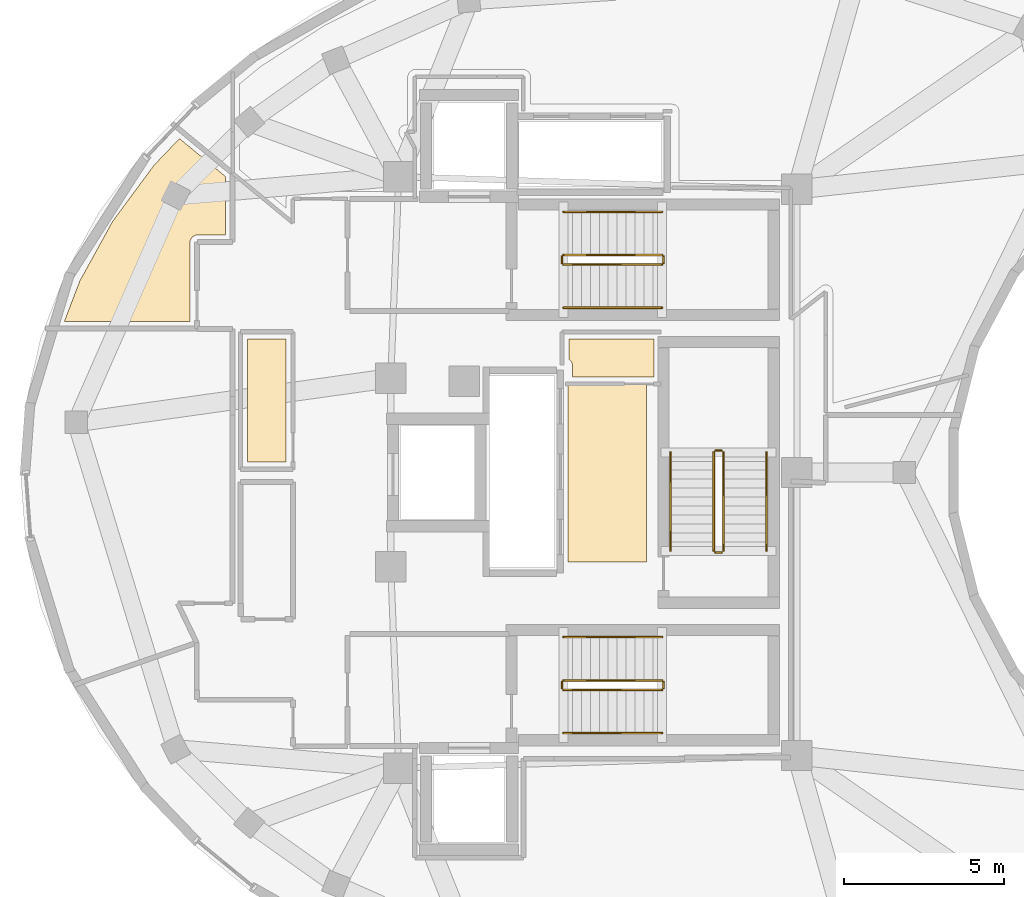
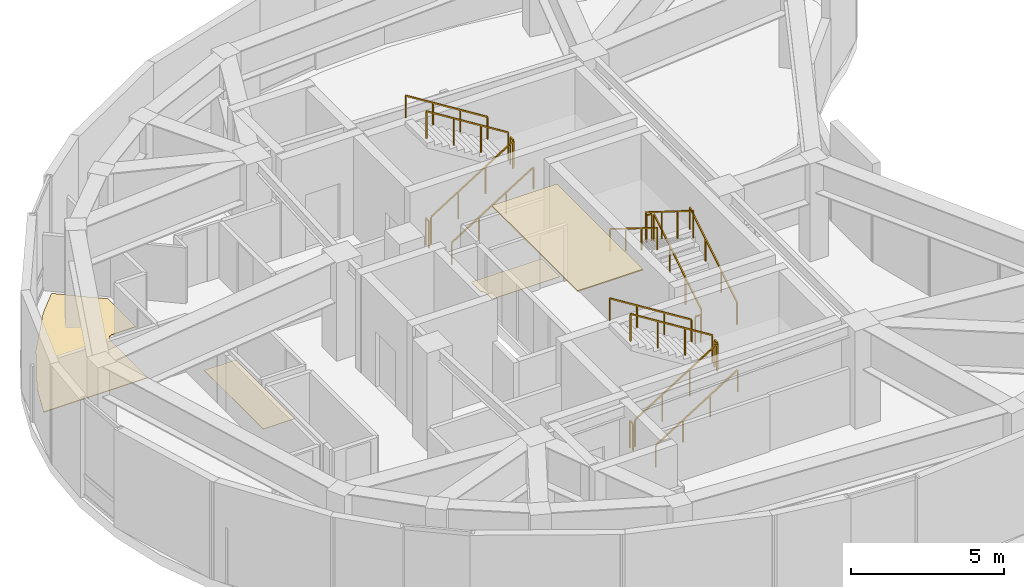
# One storey, part 7 of 8: 18 railings, 4 coverings.
"""IFC4 building model written with IfcOpenShell, lengths in metres."""

from ifc_helpers import new_model, si_unit, direction, frame, origin, origin_2d, place, context, subcontext, project, spatial, polyline, rectangle, outline, extrude, material, layer, layer_set, type_object, element, save


model = new_model("IFC4")

# Units and contexts
model_context = context("Model", 3, precision=1e-05, world=origin(), true_north=direction((0.0, 1.0)))
body_context = subcontext(model_context, "Body", "Model", "MODEL_VIEW")
ifc_project = project(units=[si_unit("LENGTHUNIT", "METRE"), si_unit("AREAUNIT", "SQUARE_METRE"), si_unit("VOLUMEUNIT", "CUBIC_METRE"), si_unit("PLANEANGLEUNIT", "RADIAN"), si_unit("MASSUNIT", "GRAM", prefix="KILO")], contexts=[model_context])

# Site, building, storey
site_placement = place(None, origin())
site = spatial("IfcSite", under=ifc_project, at=site_placement, CompositionType="ELEMENT")
building_placement = place(site_placement, origin())
building = spatial("IfcBuilding", under=site, at=building_placement, Name="Korentha Bioscience Tower", CompositionType="ELEMENT")
storey_placement = place(building_placement, frame((0.0, 0.0, 322.800048828125)))
storey = spatial("IfcBuildingStorey", under=building, at=storey_placement, Name="L74", CompositionType="ELEMENT", Elevation=322.800048828125)

# Coverings
ifc_material_1 = material(Name="Vitrified Porcelain Tile", Category="ceramic")
ifc_layer_1 = layer(ifc_material_1, 0.014892578125, Name="Vitrified Porcelain Tile")
ifc_layer_set_1 = layer_set([ifc_layer_1], Name="Vitrified Porcelain Tile (FL-CER)")
covering_type_1 = type_object("IfcCoveringType", Name="Anti-Slip Ceramic Wet-Room Tile Flooring 15", PredefinedType="FLOORING", material=ifc_layer_set_1)
covering_1_placement = place(storey_placement, origin())
element("IfcCovering", 1, at=covering_1_placement, inside=storey, type_object=covering_type_1, Name="L74 Accessible Staff WC Floor Finish", PredefinedType="FLOORING", context=body_context, shape_type="SweptSolid", body=[
    extrude(outline(polyline([(30.419921875, 31.169921875), (33.080078125, 31.169921875), (33.080078125, 29.989990234375), (30.530029296875, 29.989990234375), (30.52734375, 30.38427734375), (30.4970703125, 30.46875), (30.419921875, 30.546142578125), (30.419921875, 31.169921875)])), origin(), (0.0, 0.0, 1.0), 0.014892578125),
])
covering_2_placement = place(storey_placement, origin())
element("IfcCovering", 2, at=covering_2_placement, inside=storey, type_object=covering_type_1, Name="L74 Reclaimed Bank-2 Accessible Staff WC Floor Finish", PredefinedType="FLOORING", context=body_context, shape_type="SweptSolid", body=[
    extrude(outline(polyline([(21.570068359375, 27.320068359375), (20.3701171875, 27.320068359375), (20.3701171875, 31.179931640625), (21.570068359375, 31.179931640625), (21.570068359375, 27.320068359375)])), origin(), (0.0, 0.0, 1.0), 0.014892578125),
])

# Railings
ifc_material_2 = material(Name="Stainless Steel 304", Category="steel")
railing_type_1 = type_object("IfcRailingType", Name="Brushed Stainless Stair Handrail 900", PredefinedType="HANDRAIL", material=ifc_material_2)
railing_1_placement = place(storey_placement, frame((30.25, 32.14990234375, 0.175048828125)))
element("IfcRailing", 3, at=railing_1_placement, inside=storey, type_object=railing_type_1, Name="L74 ST-1 stair handrail 1", PredefinedType="HANDRAIL", context=body_context, shape_type="SweptSolid", body=[
    extrude(rectangle(XDim=0.048095703125, YDim=0.048095703125, at=origin_2d()), frame((0.0, 0.0, 0.8759765625), z_axis=(0.848028513186, 0.0, 0.529950602248), x_axis=(0.0, 1.0, 0.0)), (0.0, 0.0, 1.0), 3.632080078125),
    extrude(rectangle(XDim=0.0419921875, YDim=0.0419921875, at=origin_2d()), origin(), (0.0, 0.0, 1.0), 0.851806640625),
    extrude(rectangle(XDim=0.0419921875, YDim=0.0419921875, at=origin_2d()), frame((1.026611328125, 0.0, 0.6416015625)), (0.0, 0.0, 1.0), 0.851806640625),
    extrude(rectangle(XDim=0.0419921875, YDim=0.0419921875, at=origin_2d()), frame((2.053466796875, 0.0, 1.283203125)), (0.0, 0.0, 1.0), 0.851806640625),
    extrude(rectangle(XDim=0.0419921875, YDim=0.0419921875, at=origin_2d()), frame((3.080078125, 0.0, 1.9248046875)), (0.0, 0.0, 1.0), 0.851806640625),
])
railing_2_placement = place(storey_placement, frame((33.330078125, 35.14990234375, 2.27490234375)))
element("IfcRailing", 4, at=railing_2_placement, inside=storey, type_object=railing_type_1, Name="L74 ST-1 stair handrail 2", PredefinedType="HANDRAIL", context=body_context, shape_type="SweptSolid", body=[
    extrude(rectangle(XDim=0.048095703125, YDim=0.048095703125, at=origin_2d()), frame((0.0, 0.0, 0.8759765625), z_axis=(-0.847998304005, 0.0, 0.529998940003), x_axis=(0.0, -1.0, 0.0)), (0.0, 0.0, 1.0), 3.632080078125),
    extrude(rectangle(XDim=0.0419921875, YDim=0.0419921875, at=origin_2d()), origin(), (0.0, 0.0, 1.0), 0.851806640625),
    extrude(rectangle(XDim=0.0419921875, YDim=0.0419921875, at=origin_2d()), frame((-1.026611328125, 0.0, 0.6416015625)), (0.0, 0.0, 1.0), 0.851806640625),
    extrude(rectangle(XDim=0.0419921875, YDim=0.0419921875, at=origin_2d()), frame((-2.053466796875, 0.0, 1.283447265625)), (0.0, 0.0, 1.0), 0.851806640625),
    extrude(rectangle(XDim=0.0419921875, YDim=0.0419921875, at=origin_2d()), frame((-3.080078125, 0.0, 1.925048828125)), (0.0, 0.0, 1.0), 0.851806640625),
])
railing_3_placement = place(storey_placement, frame((30.25, 18.85009765625, 0.175048828125)))
element("IfcRailing", 5, at=railing_3_placement, inside=storey, type_object=railing_type_1, Name="L74 ST-2 stair handrail 1", PredefinedType="HANDRAIL", context=body_context, shape_type="SweptSolid", body=[
    extrude(rectangle(XDim=0.048095703125, YDim=0.048095703125, at=origin_2d()), frame((0.0, 0.0, 0.8759765625), z_axis=(0.848028513186, 0.0, 0.529950602248), x_axis=(0.0, 1.0, 0.0)), (0.0, 0.0, 1.0), 3.632080078125),
    extrude(rectangle(XDim=0.0419921875, YDim=0.0419921875, at=origin_2d()), origin(), (0.0, 0.0, 1.0), 0.851806640625),
    extrude(rectangle(XDim=0.0419921875, YDim=0.0419921875, at=origin_2d()), frame((1.026611328125, 0.0, 0.6416015625)), (0.0, 0.0, 1.0), 0.851806640625),
    extrude(rectangle(XDim=0.0419921875, YDim=0.0419921875, at=origin_2d()), frame((2.053466796875, 0.0, 1.283203125)), (0.0, 0.0, 1.0), 0.851806640625),
    extrude(rectangle(XDim=0.0419921875, YDim=0.0419921875, at=origin_2d()), frame((3.080078125, 0.0, 1.9248046875)), (0.0, 0.0, 1.0), 0.851806640625),
])
railing_4_placement = place(storey_placement, frame((33.330078125, 21.85009765625, 2.27490234375)))
element("IfcRailing", 6, at=railing_4_placement, inside=storey, type_object=railing_type_1, Name="L74 ST-2 stair handrail 2", PredefinedType="HANDRAIL", context=body_context, shape_type="SweptSolid", body=[
    extrude(rectangle(XDim=0.048095703125, YDim=0.048095703125, at=origin_2d()), frame((0.0, 0.0, 0.8759765625), z_axis=(-0.847998304005, 0.0, 0.529998940003), x_axis=(0.0, -1.0, 0.0)), (0.0, 0.0, 1.0), 3.632080078125),
    extrude(rectangle(XDim=0.0419921875, YDim=0.0419921875, at=origin_2d()), origin(), (0.0, 0.0, 1.0), 0.851806640625),
    extrude(rectangle(XDim=0.0419921875, YDim=0.0419921875, at=origin_2d()), frame((-1.026611328125, 0.0, 0.6416015625)), (0.0, 0.0, 1.0), 0.851806640625),
    extrude(rectangle(XDim=0.0419921875, YDim=0.0419921875, at=origin_2d()), frame((-2.053466796875, 0.0, 1.283447265625)), (0.0, 0.0, 1.0), 0.851806640625),
    extrude(rectangle(XDim=0.0419921875, YDim=0.0419921875, at=origin_2d()), frame((-3.080078125, 0.0, 1.925048828125)), (0.0, 0.0, 1.0), 0.851806640625),
])
railing_5_placement = place(storey_placement, frame((36.60009765625, 24.550048828125, 0.175048828125)))
element("IfcRailing", 7, at=railing_5_placement, inside=storey, type_object=railing_type_1, Name="L74 ST-3 stair handrail 1", PredefinedType="HANDRAIL", context=body_context, shape_type="SweptSolid", body=[
    extrude(rectangle(XDim=0.048095703125, YDim=0.048095703125, at=origin_2d()), frame((0.0, 0.0, 0.8759765625), z_axis=(0.0, 0.848009633417, 0.529980812513), x_axis=(-1.0, 0.0, 0.0)), (0.0, 0.0, 1.0), 3.6318359375),
    extrude(rectangle(XDim=0.0419921875, YDim=0.0419921875, at=origin_2d()), origin(), (0.0, 0.0, 1.0), 0.851806640625),
    extrude(rectangle(XDim=0.0419921875, YDim=0.0419921875, at=origin_2d()), frame((0.0, 1.026611328125, 0.6416015625)), (0.0, 0.0, 1.0), 0.851806640625),
    extrude(rectangle(XDim=0.0419921875, YDim=0.0419921875, at=origin_2d()), frame((0.0, 2.05322265625, 1.283203125)), (0.0, 0.0, 1.0), 0.851806640625),
    extrude(rectangle(XDim=0.0419921875, YDim=0.0419921875, at=origin_2d()), frame((0.0, 3.079833984375, 1.9248046875)), (0.0, 0.0, 1.0), 0.851806640625),
])
railing_6_placement = place(storey_placement, frame((33.60009765625, 27.6298828125, 2.27490234375)))
element("IfcRailing", 8, at=railing_6_placement, inside=storey, type_object=railing_type_1, Name="L74 ST-3 stair handrail 2", PredefinedType="HANDRAIL", context=body_context, shape_type="SweptSolid", body=[
    extrude(rectangle(XDim=0.048095703125, YDim=0.048095703125, at=origin_2d()), frame((0.0, 0.0, 0.8759765625), z_axis=(0.0, -0.847979421464, 0.530029150871), x_axis=(1.0, 0.0, 0.0)), (0.0, 0.0, 1.0), 3.632080078125),
    extrude(rectangle(XDim=0.0419921875, YDim=0.0419921875, at=origin_2d()), origin(), (0.0, 0.0, 1.0), 0.851806640625),
    extrude(rectangle(XDim=0.0419921875, YDim=0.0419921875, at=origin_2d()), frame((0.0, -1.026611328125, 0.6416015625)), (0.0, 0.0, 1.0), 0.851806640625),
    extrude(rectangle(XDim=0.0419921875, YDim=0.0419921875, at=origin_2d()), frame((0.0, -2.05322265625, 1.283447265625)), (0.0, 0.0, 1.0), 0.851806640625),
    extrude(rectangle(XDim=0.0419921875, YDim=0.0419921875, at=origin_2d()), frame((0.0, -3.079833984375, 1.925048828125)), (0.0, 0.0, 1.0), 0.851806640625),
])

# Covering
ifc_material_3 = material(Name="Honed Travertine Limestone", Category="masonry")
ifc_layer_2 = layer(ifc_material_3, 0.02490234375, Name="Honed Travertine Limestone")
ifc_layer_set_2 = layer_set([ifc_layer_2], Name="Honed Travertine Limestone (FL-STN)")
covering_type_2 = type_object("IfcCoveringType", Name="Honed Travertine Lobby Stone Flooring 25", PredefinedType="FLOORING", material=ifc_layer_set_2)
covering_3_placement = place(storey_placement, origin())
element("IfcCovering", 9, at=covering_3_placement, inside=storey, type_object=covering_type_2, Name="L74 Staff Pantry Kitchenette 04 Floor Finish", PredefinedType="FLOORING", context=body_context, shape_type="SweptSolid", body=[
    extrude(outline(polyline([(16.1552734375, 34.857666015625), (17.4541015625, 36.615234375), (18.23193359375, 37.427978515625), (18.257568359375, 37.427978515625), (19.677978515625, 36.25634765625), (19.677978515625, 34.429931640625), (18.765869140625, 34.427490234375), (18.645263671875, 34.3701171875), (18.576904296875, 34.25537109375), (18.570068359375, 31.72705078125), (14.645751953125, 31.72705078125), (15.12744140625, 32.990478515625), (16.1552734375, 34.857666015625)])), origin(), (0.0, 0.0, 1.0), 0.02490234375),
])

# Railings
ifc_material_4 = material(Name="Painted Steel S275", Category="steel")
railing_type_2 = type_object("IfcRailingType", Name="Painted Steel Stair Well Guardrail 1100", PredefinedType="GUARDRAIL", material=ifc_material_4)
railing_7_placement = place(storey_placement, frame((30.25, 33.5, 0.175048828125)))
element("IfcRailing", 10, at=railing_7_placement, inside=storey, type_object=railing_type_2, Name="L74 ST-1 stair guard 1", PredefinedType="GUARDRAIL", context=body_context, shape_type="SweptSolid", body=[
    extrude(rectangle(XDim=0.048095703125, YDim=0.048095703125, at=origin_2d()), frame((0.0, 0.0, 1.076171875), z_axis=(0.848028513186, 0.0, 0.529950602248), x_axis=(0.0, 1.0, 0.0)), (0.0, 0.0, 1.0), 3.632080078125),
    extrude(rectangle(XDim=0.0419921875, YDim=0.0419921875, at=origin_2d()), origin(), (0.0, 0.0, 1.0), 1.052001953125),
    extrude(rectangle(XDim=0.0419921875, YDim=0.0419921875, at=origin_2d()), frame((1.026611328125, 0.0, 0.6416015625)), (0.0, 0.0, 1.0), 1.052001953125),
    extrude(rectangle(XDim=0.0419921875, YDim=0.0419921875, at=origin_2d()), frame((2.053466796875, 0.0, 1.283203125)), (0.0, 0.0, 1.0), 1.052001953125),
    extrude(rectangle(XDim=0.0419921875, YDim=0.0419921875, at=origin_2d()), frame((3.080078125, 0.0, 1.9248046875)), (0.0, 0.0, 1.0), 1.052001953125),
])
railing_8_placement = place(storey_placement, frame((33.3798828125, 33.550048828125, 2.099853515625)))
element("IfcRailing", 11, at=railing_8_placement, inside=storey, type_object=railing_type_2, Name="L74 ST-1 stair guard 2", PredefinedType="GUARDRAIL", context=body_context, shape_type="SweptSolid", body=[
    extrude(rectangle(XDim=0.048095703125, YDim=0.048095703125, at=origin_2d()), frame((0.0, 0.0, 1.076171875), z_axis=(0.0, 1.0, 0.0), x_axis=(-1.0, 0.0, 0.0)), (0.0, 0.0, 1.0), 0.199951171875),
    extrude(rectangle(XDim=0.0419921875, YDim=0.0419921875, at=origin_2d()), origin(), (0.0, 0.0, 1.0), 1.052001953125),
    extrude(rectangle(XDim=0.0419921875, YDim=0.0419921875, at=origin_2d()), frame((0.0, 0.199951171875, 0.0)), (0.0, 0.0, 1.0), 1.052001953125),
])
railing_9_placement = place(storey_placement, frame((33.330078125, 33.800048828125, 2.27490234375)))
element("IfcRailing", 12, at=railing_9_placement, inside=storey, type_object=railing_type_2, Name="L74 ST-1 stair guard 3", PredefinedType="GUARDRAIL", context=body_context, shape_type="SweptSolid", body=[
    extrude(rectangle(XDim=0.048095703125, YDim=0.048095703125, at=origin_2d()), frame((0.0, 0.0, 1.076171875), z_axis=(-0.847998304005, 0.0, 0.529998940003), x_axis=(0.0, -1.0, 0.0)), (0.0, 0.0, 1.0), 3.632080078125),
    extrude(rectangle(XDim=0.0419921875, YDim=0.0419921875, at=origin_2d()), origin(), (0.0, 0.0, 1.0), 1.052001953125),
    extrude(rectangle(XDim=0.0419921875, YDim=0.0419921875, at=origin_2d()), frame((-1.026611328125, 0.0, 0.6416015625)), (0.0, 0.0, 1.0), 1.052001953125),
    extrude(rectangle(XDim=0.0419921875, YDim=0.0419921875, at=origin_2d()), frame((-2.053466796875, 0.0, 1.283447265625)), (0.0, 0.0, 1.0), 1.052001953125),
    extrude(rectangle(XDim=0.0419921875, YDim=0.0419921875, at=origin_2d()), frame((-3.080078125, 0.0, 1.925048828125)), (0.0, 0.0, 1.0), 1.052001953125),
])
railing_10_placement = place(storey_placement, frame((30.199951171875, 33.550048828125, 0.0)))
element("IfcRailing", 13, at=railing_10_placement, inside=storey, type_object=railing_type_2, Name="L74 ST-1 stair guard 4", PredefinedType="GUARDRAIL", context=body_context, shape_type="SweptSolid", body=[
    extrude(rectangle(XDim=0.048095703125, YDim=0.048095703125, at=origin_2d()), frame((0.0, 0.0, 1.076171875), z_axis=(0.0, 1.0, 0.0), x_axis=(-1.0, 0.0, 0.0)), (0.0, 0.0, 1.0), 0.199951171875),
    extrude(rectangle(XDim=0.0419921875, YDim=0.0419921875, at=origin_2d()), origin(), (0.0, 0.0, 1.0), 1.052001953125),
    extrude(rectangle(XDim=0.0419921875, YDim=0.0419921875, at=origin_2d()), frame((0.0, 0.199951171875, 0.0)), (0.0, 0.0, 1.0), 1.052001953125),
])
railing_11_placement = place(storey_placement, frame((30.25, 20.199951171875, 0.175048828125)))
element("IfcRailing", 14, at=railing_11_placement, inside=storey, type_object=railing_type_2, Name="L74 ST-2 stair guard 1", PredefinedType="GUARDRAIL", context=body_context, shape_type="SweptSolid", body=[
    extrude(rectangle(XDim=0.048095703125, YDim=0.048095703125, at=origin_2d()), frame((0.0, 0.0, 1.076171875), z_axis=(0.848028513186, 0.0, 0.529950602248), x_axis=(0.0, 1.0, 0.0)), (0.0, 0.0, 1.0), 3.632080078125),
    extrude(rectangle(XDim=0.0419921875, YDim=0.0419921875, at=origin_2d()), origin(), (0.0, 0.0, 1.0), 1.052001953125),
    extrude(rectangle(XDim=0.0419921875, YDim=0.0419921875, at=origin_2d()), frame((1.026611328125, 0.0, 0.6416015625)), (0.0, 0.0, 1.0), 1.052001953125),
    extrude(rectangle(XDim=0.0419921875, YDim=0.0419921875, at=origin_2d()), frame((2.053466796875, 0.0, 1.283203125)), (0.0, 0.0, 1.0), 1.052001953125),
    extrude(rectangle(XDim=0.0419921875, YDim=0.0419921875, at=origin_2d()), frame((3.080078125, 0.0, 1.9248046875)), (0.0, 0.0, 1.0), 1.052001953125),
])
railing_12_placement = place(storey_placement, frame((33.3798828125, 20.25, 2.099853515625)))
element("IfcRailing", 15, at=railing_12_placement, inside=storey, type_object=railing_type_2, Name="L74 ST-2 stair guard 2", PredefinedType="GUARDRAIL", context=body_context, shape_type="SweptSolid", body=[
    extrude(rectangle(XDim=0.048095703125, YDim=0.048095703125, at=origin_2d()), frame((0.0, 0.0, 1.076171875), z_axis=(0.0, 1.0, 0.0), x_axis=(-1.0, 0.0, 0.0)), (0.0, 0.0, 1.0), 0.199951171875),
    extrude(rectangle(XDim=0.0419921875, YDim=0.0419921875, at=origin_2d()), origin(), (0.0, 0.0, 1.0), 1.052001953125),
    extrude(rectangle(XDim=0.0419921875, YDim=0.0419921875, at=origin_2d()), frame((0.0, 0.199951171875, 0.0)), (0.0, 0.0, 1.0), 1.052001953125),
])
railing_13_placement = place(storey_placement, frame((33.330078125, 20.5, 2.27490234375)))
element("IfcRailing", 16, at=railing_13_placement, inside=storey, type_object=railing_type_2, Name="L74 ST-2 stair guard 3", PredefinedType="GUARDRAIL", context=body_context, shape_type="SweptSolid", body=[
    extrude(rectangle(XDim=0.048095703125, YDim=0.048095703125, at=origin_2d()), frame((0.0, 0.0, 1.076171875), z_axis=(-0.847998304005, 0.0, 0.529998940003), x_axis=(0.0, -1.0, 0.0)), (0.0, 0.0, 1.0), 3.632080078125),
    extrude(rectangle(XDim=0.0419921875, YDim=0.0419921875, at=origin_2d()), origin(), (0.0, 0.0, 1.0), 1.052001953125),
    extrude(rectangle(XDim=0.0419921875, YDim=0.0419921875, at=origin_2d()), frame((-1.026611328125, 0.0, 0.6416015625)), (0.0, 0.0, 1.0), 1.052001953125),
    extrude(rectangle(XDim=0.0419921875, YDim=0.0419921875, at=origin_2d()), frame((-2.053466796875, 0.0, 1.283447265625)), (0.0, 0.0, 1.0), 1.052001953125),
    extrude(rectangle(XDim=0.0419921875, YDim=0.0419921875, at=origin_2d()), frame((-3.080078125, 0.0, 1.925048828125)), (0.0, 0.0, 1.0), 1.052001953125),
])
railing_14_placement = place(storey_placement, frame((30.199951171875, 20.25, 0.0)))
element("IfcRailing", 17, at=railing_14_placement, inside=storey, type_object=railing_type_2, Name="L74 ST-2 stair guard 4", PredefinedType="GUARDRAIL", context=body_context, shape_type="SweptSolid", body=[
    extrude(rectangle(XDim=0.048095703125, YDim=0.048095703125, at=origin_2d()), frame((0.0, 0.0, 1.076171875), z_axis=(0.0, 1.0, 0.0), x_axis=(-1.0, 0.0, 0.0)), (0.0, 0.0, 1.0), 0.199951171875),
    extrude(rectangle(XDim=0.0419921875, YDim=0.0419921875, at=origin_2d()), origin(), (0.0, 0.0, 1.0), 1.052001953125),
    extrude(rectangle(XDim=0.0419921875, YDim=0.0419921875, at=origin_2d()), frame((0.0, 0.199951171875, 0.0)), (0.0, 0.0, 1.0), 1.052001953125),
])
railing_15_placement = place(storey_placement, frame((35.25, 24.550048828125, 0.175048828125)))
element("IfcRailing", 18, at=railing_15_placement, inside=storey, type_object=railing_type_2, Name="L74 ST-3 stair guard 1", PredefinedType="GUARDRAIL", context=body_context, shape_type="SweptSolid", body=[
    extrude(rectangle(XDim=0.048095703125, YDim=0.048095703125, at=origin_2d()), frame((0.0, 0.0, 1.076171875), z_axis=(0.0, 0.848009633417, 0.529980812513), x_axis=(-1.0, 0.0, 0.0)), (0.0, 0.0, 1.0), 3.6318359375),
    extrude(rectangle(XDim=0.0419921875, YDim=0.0419921875, at=origin_2d()), origin(), (0.0, 0.0, 1.0), 1.052001953125),
    extrude(rectangle(XDim=0.0419921875, YDim=0.0419921875, at=origin_2d()), frame((0.0, 1.026611328125, 0.6416015625)), (0.0, 0.0, 1.0), 1.052001953125),
    extrude(rectangle(XDim=0.0419921875, YDim=0.0419921875, at=origin_2d()), frame((0.0, 2.05322265625, 1.283203125)), (0.0, 0.0, 1.0), 1.052001953125),
    extrude(rectangle(XDim=0.0419921875, YDim=0.0419921875, at=origin_2d()), frame((0.0, 3.079833984375, 1.9248046875)), (0.0, 0.0, 1.0), 1.052001953125),
])
railing_16_placement = place(storey_placement, frame((35.199951171875, 27.679931640625, 2.099853515625)))
element("IfcRailing", 19, at=railing_16_placement, inside=storey, type_object=railing_type_2, Name="L74 ST-3 stair guard 2", PredefinedType="GUARDRAIL", context=body_context, shape_type="SweptSolid", body=[
    extrude(rectangle(XDim=0.048095703125, YDim=0.048095703125, at=origin_2d()), frame((0.0, 0.0, 1.076171875), z_axis=(-1.0, 0.0, 0.0), x_axis=(0.0, -1.0, 0.0)), (0.0, 0.0, 1.0), 0.199951171875),
    extrude(rectangle(XDim=0.0419921875, YDim=0.0419921875, at=origin_2d()), origin(), (0.0, 0.0, 1.0), 1.052001953125),
    extrude(rectangle(XDim=0.0419921875, YDim=0.0419921875, at=origin_2d()), frame((-0.199951171875, 0.0, 0.0)), (0.0, 0.0, 1.0), 1.052001953125),
])
railing_17_placement = place(storey_placement, frame((34.949951171875, 27.6298828125, 2.27490234375)))
element("IfcRailing", 20, at=railing_17_placement, inside=storey, type_object=railing_type_2, Name="L74 ST-3 stair guard 3", PredefinedType="GUARDRAIL", context=body_context, shape_type="SweptSolid", body=[
    extrude(rectangle(XDim=0.048095703125, YDim=0.048095703125, at=origin_2d()), frame((0.0, 0.0, 1.076171875), z_axis=(0.0, -0.847979421464, 0.530029150871), x_axis=(1.0, 0.0, 0.0)), (0.0, 0.0, 1.0), 3.632080078125),
    extrude(rectangle(XDim=0.0419921875, YDim=0.0419921875, at=origin_2d()), origin(), (0.0, 0.0, 1.0), 1.052001953125),
    extrude(rectangle(XDim=0.0419921875, YDim=0.0419921875, at=origin_2d()), frame((0.0, -1.026611328125, 0.6416015625)), (0.0, 0.0, 1.0), 1.052001953125),
    extrude(rectangle(XDim=0.0419921875, YDim=0.0419921875, at=origin_2d()), frame((0.0, -2.05322265625, 1.283447265625)), (0.0, 0.0, 1.0), 1.052001953125),
    extrude(rectangle(XDim=0.0419921875, YDim=0.0419921875, at=origin_2d()), frame((0.0, -3.079833984375, 1.925048828125)), (0.0, 0.0, 1.0), 1.052001953125),
])
railing_18_placement = place(storey_placement, frame((35.199951171875, 24.5, 0.0)))
element("IfcRailing", 21, at=railing_18_placement, inside=storey, type_object=railing_type_2, Name="L74 ST-3 stair guard 4", PredefinedType="GUARDRAIL", context=body_context, shape_type="SweptSolid", body=[
    extrude(rectangle(XDim=0.048095703125, YDim=0.048095703125, at=origin_2d()), frame((0.0, 0.0, 1.076171875), z_axis=(-1.0, 0.0, 0.0), x_axis=(0.0, -1.0, 0.0)), (0.0, 0.0, 1.0), 0.199951171875),
    extrude(rectangle(XDim=0.0419921875, YDim=0.0419921875, at=origin_2d()), origin(), (0.0, 0.0, 1.0), 1.052001953125),
    extrude(rectangle(XDim=0.0419921875, YDim=0.0419921875, at=origin_2d()), frame((-0.199951171875, 0.0, 0.0)), (0.0, 0.0, 1.0), 1.052001953125),
])

# Covering
ifc_material_5 = material(Name="Perforated Powder-Coated Aluminium", Category="aluminium")
ifc_layer_3 = layer(ifc_material_5, 0.044921875, Name="Perforated Powder-Coated Aluminium")
ifc_layer_set_3 = layer_set([ifc_layer_3], Name="Perforated Powder-Coated Aluminium (CL-M45)")
covering_type_3 = type_object("IfcCoveringType", Name="Perforated Metal Laboratory Acoustic Ceiling 45", PredefinedType="CEILING", material=ifc_layer_set_3)
covering_4_placement = place(storey_placement, frame((0.0, 0.0, 3.85498046875)))
element("IfcCovering", 22, at=covering_4_placement, inside=storey, type_object=covering_type_3, Name="L74 Acoustic Metal Baffle Ceiling", PredefinedType="CEILING", context=body_context, shape_type="SweptSolid", body=[
    extrude(outline(polyline([(30.39990234375, 24.199951171875), (32.85009765625, 24.199951171875), (32.85009765625, 29.800048828125), (30.39990234375, 29.800048828125), (30.39990234375, 24.199951171875)])), origin(), (0.0, 0.0, 1.0), 0.044921875),
])

save(model, "model.ifc")
